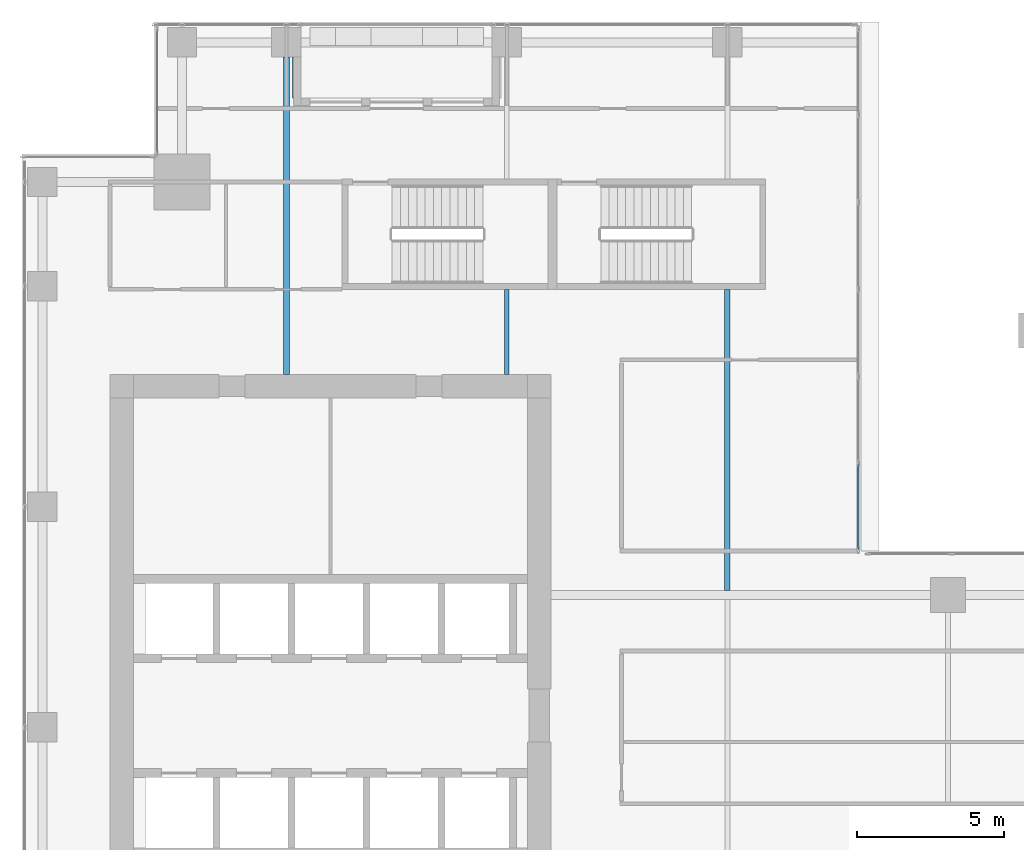
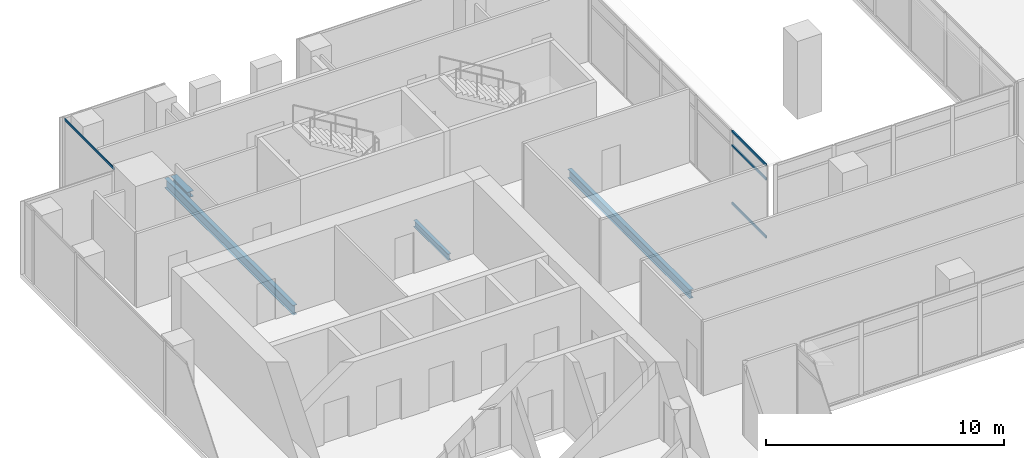
# One storey, part 19 of 37: 4 beams, 4 members, 2 elements without a shape of their own.
"""IFC4 building model written with IfcOpenShell, lengths in metres."""

from ifc_helpers import new_model, si_unit, direction, frame, origin, origin_2d, place, context, subcontext, project, spatial, hollow_rectangle, i_section, extrude, source, transform, mapped, material, material_profile, profile_set, type_object, element, aggregate, save


model = new_model("IFC4")

# Units and contexts
model_context = context("Model", 3, precision=1e-05, world=origin(), true_north=direction((0.0, 1.0)))
body_context = subcontext(model_context, "Body", "Model", "MODEL_VIEW")
ifc_project = project(units=[si_unit("LENGTHUNIT", "METRE"), si_unit("AREAUNIT", "SQUARE_METRE"), si_unit("VOLUMEUNIT", "CUBIC_METRE"), si_unit("PLANEANGLEUNIT", "RADIAN"), si_unit("MASSUNIT", "GRAM", prefix="KILO")], contexts=[model_context])

# Site, building, storey
site_placement = place(None, origin())
site = spatial("IfcSite", under=ifc_project, at=site_placement, CompositionType="ELEMENT")
building_placement = place(site_placement, origin())
building = spatial("IfcBuilding", under=site, at=building_placement, Name="Khomas Fold Tower", CompositionType="ELEMENT")
storey_placement = place(building_placement, frame((0.0, 0.0, 168.699951171875)))
storey = spatial("IfcBuildingStorey", under=building, at=storey_placement, Name="L36", CompositionType="ELEMENT", Elevation=168.699951171875)

# Beams
ifc_material_1 = material(Name="Steel S355", Category="steel")
ifc_material_profile_1 = material_profile(ifc_material_1, i_section(OverallWidth=0.18994140625, OverallDepth=0.449951171875, WebThickness=0.009521484375, FlangeThickness=0.0146484375, at=origin_2d()), Name="IPE 450")
ifc_profile_set_1 = profile_set([ifc_material_profile_1], Name="Steel S355")
beam_type_1 = type_object("IfcBeamType", Name="IPE 450 beam JB4", PredefinedType="BEAM", material=ifc_profile_set_1)
shared_shape_1 = source(origin(), body_context, "Body", "SweptSolid", [
    extrude(i_section(OverallWidth=0.18994140625, OverallDepth=0.449951171875, WebThickness=0.009521484375, FlangeThickness=0.0146484375, at=origin_2d()), origin(), (0.0, 0.0, 1.0), 10.25),
])
beam_1_placement = place(storey_placement, frame((27.0, 31.64990234375, -0.474853515625), z_axis=(0.0, 1.0, 0.0), x_axis=(-1.0, 0.0, 0.0)))
element("IfcBeam", 1, at=beam_1_placement, inside=storey, type_object=beam_type_1, Name="JB4", PredefinedType="BEAM", context=body_context, shape_type="MappedRepresentation", body=[
    mapped(shared_shape_1, transform((0.0, 0.0, 0.0))),
])
ifc_material_2 = material(Name="Steel S355", Category="steel")
ifc_material_profile_2 = material_profile(ifc_material_2, i_section(OverallWidth=0.199951171875, OverallDepth=0.5, WebThickness=0.01025390625, FlangeThickness=0.01611328125, at=origin_2d()), Name="IPE 500")
ifc_profile_set_2 = profile_set([ifc_material_profile_2], Name="Steel S355")
beam_type_2 = type_object("IfcBeamType", Name="IPE 500 beam JB5", PredefinedType="BEAM", material=ifc_profile_set_2)
shared_shape_2 = source(origin(), body_context, "Body", "SweptSolid", [
    extrude(i_section(OverallWidth=0.199951171875, OverallDepth=0.5, WebThickness=0.01025390625, FlangeThickness=0.01611328125, at=origin_2d()), origin(), (0.0, 0.0, 1.0), 10.800048828125),
])
beam_2_placement = place(storey_placement, frame((12.0, 39.0, -0.5), z_axis=(0.0, 1.0, 0.0), x_axis=(-1.0, 0.0, 0.0)))
element("IfcBeam", 2, at=beam_2_placement, inside=storey, type_object=beam_type_2, Name="JB5", PredefinedType="BEAM", context=body_context, shape_type="MappedRepresentation", body=[
    mapped(shared_shape_2, transform((0.0, 0.0, 0.0))),
])
ifc_material_3 = material(Name="Steel S355", Category="steel")
ifc_material_profile_3 = material_profile(ifc_material_3, i_section(OverallWidth=0.159912109375, OverallDepth=0.330078125, WebThickness=0.007568359375, FlangeThickness=0.011474609375, at=origin_2d()), Name="IPE 330")
ifc_profile_set_3 = profile_set([ifc_material_profile_3], Name="Steel S355")
beam_type_3 = type_object("IfcBeamType", Name="IPE 330 beam JB1", PredefinedType="BEAM", material=ifc_profile_set_3)
shared_shape_3 = source(origin(), body_context, "Body", "SweptSolid", [
    extrude(i_section(OverallWidth=0.159912109375, OverallDepth=0.330078125, WebThickness=0.007568359375, FlangeThickness=0.011474609375, at=origin_2d()), origin(), (0.0, 0.0, 1.0), 2.89990234375),
])
beam_3_placement = place(storey_placement, frame((19.5, 39.0, -0.4150390625), z_axis=(0.0, 1.0, 0.0), x_axis=(-1.0, 0.0, 0.0)))
element("IfcBeam", 3, at=beam_3_placement, inside=storey, type_object=beam_type_3, Name="JB1", PredefinedType="BEAM", context=body_context, shape_type="MappedRepresentation", body=[
    mapped(shared_shape_3, transform((0.0, 0.0, 0.0))),
])
ifc_material_4 = material(Name="Steel S355", Category="steel")
ifc_material_profile_4 = material_profile(ifc_material_4, i_section(OverallWidth=0.300048828125, OverallDepth=0.300048828125, WebThickness=0.010986328125, FlangeThickness=0.01904296875, at=origin_2d()), Name="HE 300 B")
ifc_profile_set_4 = profile_set([ifc_material_profile_4], Name="Steel S355")
beam_type_4 = type_object("IfcBeamType", Name="HE 300 B beam BB1", PredefinedType="BEAM", material=ifc_profile_set_4)
shared_shape_4 = source(origin(), body_context, "Body", "SweptSolid", [
    extrude(i_section(OverallWidth=0.300048828125, OverallDepth=0.300048828125, WebThickness=0.010986328125, FlangeThickness=0.01904296875, at=origin_2d()), origin(), (0.0, 0.0, 1.0), 1.400146484375),
])
beam_4_placement = place(storey_placement, frame((12.35009765625, 48.39990234375, -0.39990234375), z_axis=(0.0, 1.0, 0.0), x_axis=(-1.0, 0.0, 0.0)))
element("IfcBeam", 4, at=beam_4_placement, inside=storey, type_object=beam_type_4, Name="BB1", PredefinedType="BEAM", context=body_context, shape_type="MappedRepresentation", body=[
    mapped(shared_shape_4, transform((0.0, 0.0, 0.0))),
])

# Curtain wall, member
ifc_material_5 = material(Name="Aluminium framed double glazing", Category="aluminium")
curtain_wall_type_1 = type_object("IfcCurtainWallType", Name="SK-Unitised clear-glass wall, office floors CW2", PredefinedType="NOTDEFINED", material=ifc_material_5)
curtain_wall_1_placement = place(storey_placement, origin())
curtain_wall_1 = element("IfcCurtainWall", 5, at=curtain_wall_1_placement, inside=storey, type_object=curtain_wall_type_1, Name="CW2 corner return L36 16", PredefinedType="NOTDEFINED")
ifc_material_6 = material(Name="Aluminium", Category="aluminium")
ifc_material_profile_5 = material_profile(ifc_material_6, hollow_rectangle(XDim=0.050048828125, YDim=0.110107421875, WallThickness=0.00390625, at=origin_2d()), Name="SK-Unitised clear-glass wall, office floors transom CW2-T")
ifc_profile_set_5 = profile_set([ifc_material_profile_5], Name="Aluminium")
member_type_1 = type_object("IfcMemberType", Name="SK-Unitised clear-glass wall, office floors transom CW2-T", PredefinedType="USERDEFINED", material=ifc_profile_set_5)
shared_shape_5 = source(origin(), body_context, "Body", "SweptSolid", [
    extrude(hollow_rectangle(XDim=0.050048828125, YDim=0.110107421875, WallThickness=0.00390625, at=origin_2d()), origin(), (0.0, 0.0, 1.0), 4.179931640625),
])
member_1_placement = place(storey_placement, frame((7.60009765625, 50.739990234375, 3.695068359375), z_axis=(0.0, -1.0, 0.0), x_axis=(1.0, 0.0, 0.0)))
member_1 = element("IfcMember", 6, at=member_1_placement, type_object=member_type_1, Name="CW2 transom 1", ObjectType="TRANSOM", PredefinedType="USERDEFINED", context=body_context, shape_type="MappedRepresentation", body=[
    mapped(shared_shape_5, transform((0.0, 0.0, 0.0))),
])
aggregate(curtain_wall_1, [member_1])

# Curtain wall, members
ifc_material_7 = material(Name="Aluminium framed double glazing", Category="aluminium")
curtain_wall_type_2 = type_object("IfcCurtainWallType", Name="Notch glazing GN-CW", PredefinedType="NOTDEFINED", material=ifc_material_7)
curtain_wall_2_placement = place(storey_placement, origin())
curtain_wall_2 = element("IfcCurtainWall", 7, at=curtain_wall_2_placement, inside=storey, type_object=curtain_wall_type_2, Name="Notch glazing run", PredefinedType="NOTDEFINED")
ifc_material_8 = material(Name="Aluminium", Category="aluminium")
ifc_material_profile_6 = material_profile(ifc_material_8, hollow_rectangle(XDim=0.06005859375, YDim=0.1201171875, WallThickness=0.00390625, at=origin_2d()), Name="Notch glazing transom GN-CW-T")
ifc_profile_set_6 = profile_set([ifc_material_profile_6], Name="Aluminium")
member_type_2 = type_object("IfcMemberType", Name="Notch glazing transom GN-CW-T", PredefinedType="USERDEFINED", material=ifc_profile_set_6)
shared_shape_6 = source(origin(), body_context, "Body", "SweptSolid", [
    extrude(hollow_rectangle(XDim=0.06005859375, YDim=0.1201171875, WallThickness=0.00390625, at=origin_2d()), origin(), (0.0, 0.0, 1.0), 2.876708984375),
])
member_2_placement = place(storey_placement, frame((31.449951171875, 33.06005859375, 0.030029296875), z_axis=(0.0, 1.0, 0.0), x_axis=(-1.0, 0.0, 0.0)))
member_2 = element("IfcMember", 8, at=member_2_placement, type_object=member_type_2, Name="GN-CW transom 1.1", ObjectType="TRANSOM", PredefinedType="USERDEFINED", context=body_context, shape_type="MappedRepresentation", body=[
    mapped(shared_shape_6, transform((0.0, 0.0, 0.0))),
])
member_3_placement = place(storey_placement, frame((31.449951171875, 33.06005859375, 3.0), z_axis=(0.0, 1.0, 0.0), x_axis=(-1.0, 0.0, 0.0)))
member_3 = element("IfcMember", 9, at=member_3_placement, type_object=member_type_2, Name="GN-CW transom 1.2", ObjectType="TRANSOM", PredefinedType="USERDEFINED", context=body_context, shape_type="MappedRepresentation", body=[
    mapped(shared_shape_6, transform((0.0, 0.0, 0.0))),
])
member_4_placement = place(storey_placement, frame((31.449951171875, 33.06005859375, 3.719970703125), z_axis=(0.0, 1.0, 0.0), x_axis=(-1.0, 0.0, 0.0)))
member_4 = element("IfcMember", 10, at=member_4_placement, type_object=member_type_2, Name="GN-CW transom 1.3", ObjectType="TRANSOM", PredefinedType="USERDEFINED", context=body_context, shape_type="MappedRepresentation", body=[
    mapped(shared_shape_6, transform((0.0, 0.0, 0.0))),
])
aggregate(curtain_wall_2, [member_2, member_3, member_4])

save(model, "model.ifc")
